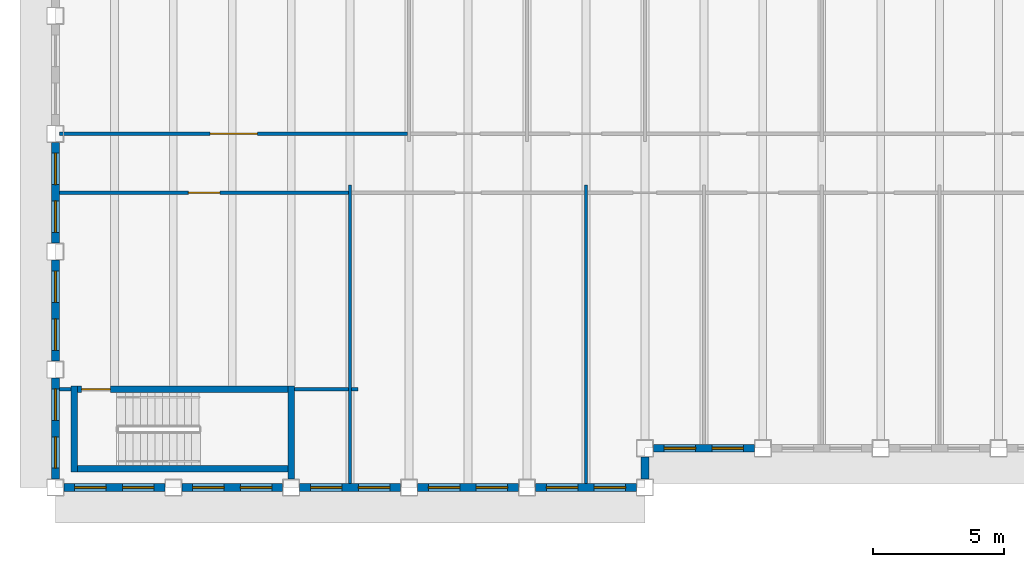
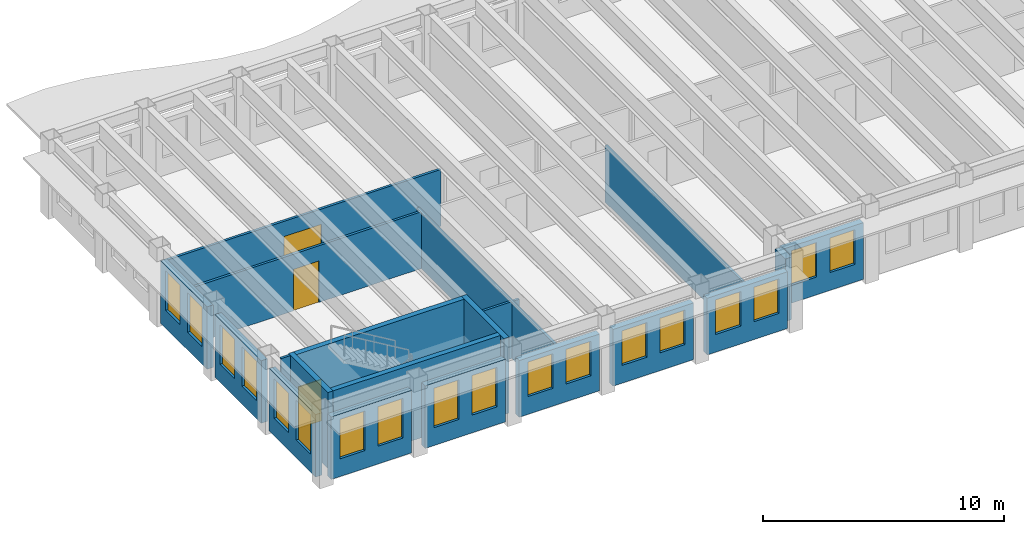
# One storey, part 2 of 12: 21 walls, 18 windows, 3 doors, 21 openings.
"""IFC4 building model written with IfcOpenShell, lengths in metres."""

from ifc_helpers import new_model, si_unit, direction, frame, frame_2d, origin, place, context, subcontext, project, spatial, rectangle, extrude, material, layer, layer_set, type_object, element, fill, save


model = new_model("IFC4")

# Units and contexts
model_context = context("Model", 3, precision=1e-05, world=origin(), true_north=direction((0.0, 1.0)))
body_context = subcontext(model_context, "Body", "Model", "MODEL_VIEW")
ifc_project = project(units=[si_unit("LENGTHUNIT", "METRE"), si_unit("AREAUNIT", "SQUARE_METRE"), si_unit("VOLUMEUNIT", "CUBIC_METRE"), si_unit("PLANEANGLEUNIT", "RADIAN"), si_unit("MASSUNIT", "GRAM", prefix="KILO")], contexts=[model_context])

# Site, building, storey
site_placement = place(None, origin())
site = spatial("IfcSite", under=ifc_project, at=site_placement, CompositionType="ELEMENT")
building_placement = place(site_placement, origin())
building = spatial("IfcBuilding", under=site, at=building_placement, Name="Sennacour Bend Tower", CompositionType="ELEMENT")
storey_placement = place(building_placement, frame((0.0, 0.0, 265.0)))
storey = spatial("IfcBuildingStorey", under=building, at=storey_placement, Name="L61", CompositionType="ELEMENT", Elevation=265.0)

# Walls
ifc_material_1 = material(Name="Plasterboard partition on steel studs", Category="steel")
ifc_layer_1 = layer(ifc_material_1, 0.1201171875, Name="Plasterboard partition on steel studs", Category="steel")
ifc_layer_set_1 = layer_set([ifc_layer_1], Name="Plasterboard partition on steel studs")
wall_type_1 = type_object("IfcWallType", Name="Partition 120", PredefinedType="PARTITIONING", material=ifc_layer_set_1)
for number, where, z_axis, x_axis, name in (
    (1, (11.25, 0.14990234375, 0.0), (0.0, 0.0, 1.0), (0.0, 1.0, 0.0), "P-L61-W004a"),
    (2, (20.25, 0.14990234375, 0.0), (0.0, 0.0, 1.0), (0.0, 1.0, 0.0), "P-L61-W007a"),
):
    element("IfcWall", number, at=place(storey_placement, frame(where, z_axis=z_axis, x_axis=x_axis)), inside=storey, type_object=wall_type_1, Name=name, PredefinedType="PARTITIONING", context=body_context, shape_type="SweptSolid", body=[
        extrude(rectangle(XDim=11.400146484375, YDim=0.1201171875, at=frame_2d((5.7001953125, 0.0))), origin(), (0.0, 0.0, 1.0), 2.8701171875),
    ])
wall_1_placement = place(storey_placement, frame((0.14990234375, 3.75, 0.0), z_axis=(0.0, 0.0, 1.0), x_axis=(1.0, 0.0, 0.0)))
element("IfcWall", 3, at=wall_1_placement, inside=storey, type_object=wall_type_1, Name="P-L61-W032a", PredefinedType="PARTITIONING", context=body_context, shape_type="SweptSolid", body=[
    extrude(rectangle(XDim=0.4501953125, YDim=0.1201171875, at=frame_2d((0.22509765625, 0.0))), origin(), (0.0, 0.0, 1.0), 3.85009765625),
])
wall_2_placement = place(storey_placement, frame((9.125, 3.75, 0.0), z_axis=(0.0, 0.0, 1.0), x_axis=(1.0, 0.0, 0.0)))
element("IfcWall", 4, at=wall_2_placement, inside=storey, type_object=wall_type_1, Name="P-L61-W034aa", PredefinedType="PARTITIONING", context=body_context, shape_type="SweptSolid", body=[
    extrude(rectangle(XDim=2.06494140625, YDim=0.1201171875, at=frame_2d((1.032470703125, 0.0))), origin(), (0.0, 0.0, 1.0), 2.8701171875),
])
wall_3_placement = place(storey_placement, frame((11.31005859375, 3.75, 0.0), z_axis=(0.0, 0.0, 1.0), x_axis=(1.0, 0.0, 0.0)))
element("IfcWall", 5, at=wall_3_placement, inside=storey, type_object=wall_type_1, Name="P-L61-W034ab", PredefinedType="PARTITIONING", context=body_context, shape_type="SweptSolid", body=[
    extrude(rectangle(XDim=0.239990234375, YDim=0.1201171875, at=frame_2d((0.1201171875, 0.0))), origin(), (0.0, 0.0, 1.0), 2.8701171875),
])

# Wall, opening, door
wall_4_placement = place(storey_placement, frame((0.14990234375, 13.5, 0.0), z_axis=(0.0, 0.0, 1.0), x_axis=(1.0, 0.0, 0.0)))
wall_4 = element("IfcWall", 6, at=wall_4_placement, inside=storey, type_object=wall_type_1, Name="P-L61-W041aa", PredefinedType="PARTITIONING", context=body_context, shape_type="SweptSolid", body=[
    extrude(rectangle(XDim=13.2900390625, YDim=0.1201171875, at=frame_2d((6.64501953125, 0.0))), origin(), (0.0, 0.0, 1.0), 2.8701171875),
])
opening_1_placement = place(wall_4_placement, frame((5.755126953125, 0.0, 0.0)))
opening_1 = element("IfcOpeningElement", 7, at=opening_1_placement, cuts=wall_4, Name="Opening OD3", PredefinedType="OPENING", context=body_context, shape_type="SweptSolid", body=[
    extrude(rectangle(XDim=1.800048828125, YDim=2.10009765625, at=frame_2d((0.89990234375, 1.050048828125))), frame((0.0, 0.070068359375, 0.0), z_axis=(0.0, -1.0, 0.0), x_axis=(1.0, 0.0, 0.0)), (0.0, 0.0, 1.0), 0.14013671875),
])
ifc_material_2 = material(Name="Timber", Category="wood")
door_type_1 = type_object("IfcDoorType", Name="DR-OFFICE-1800", OperationType="NOTDEFINED", PredefinedType="DOOR", material=ifc_material_2)
door_1_placement = place(opening_1_placement, origin())
door_1 = element("IfcDoor", 8, at=door_1_placement, inside=storey, type_object=door_type_1, Name="Door", OperationType="DOUBLE_DOOR_SINGLE_SWING", OverallHeight=2.10009765625, OverallWidth=1.800048828125, PredefinedType="DOOR", context=body_context, shape_type="SweptSolid", body=[
    extrude(rectangle(XDim=1.800048828125, YDim=2.10009765625, at=frame_2d((0.89990234375, 1.050048828125))), frame((0.0, 0.02490234375, 0.0), z_axis=(0.0, -1.0, 0.0), x_axis=(1.0, 0.0, 0.0)), (0.0, 0.0, 1.0), 0.050048828125),
])
fill(opening_1, door_1)

ifc_layer_2 = layer(ifc_material_1, 0.1201171875, Name="Plasterboard partition on steel studs", Category="steel")
ifc_layer_set_2 = layer_set([ifc_layer_2], Name="Plasterboard partition on steel studs")
wall_type_2 = type_object("IfcWallType", Name="Partition 120 EI 30", PredefinedType="PARTITIONING", material=ifc_layer_set_2)
wall_5_placement = place(storey_placement, frame((0.14990234375, 11.25, 0.0), z_axis=(0.0, 0.0, 1.0), x_axis=(1.0, 0.0, 0.0)))
wall_5 = element("IfcWall", 9, at=wall_5_placement, inside=storey, type_object=wall_type_2, Name="P-L61-W039aa", PredefinedType="PARTITIONING", context=body_context, shape_type="SweptSolid", body=[
    extrude(rectangle(XDim=11.0400390625, YDim=0.1201171875, at=frame_2d((5.52001953125, 0.0))), origin(), (0.0, 0.0, 1.0), 2.8701171875),
])
opening_2_placement = place(wall_5_placement, frame((4.93017578125, 0.0, 0.0)))
opening_2 = element("IfcOpeningElement", 10, at=opening_2_placement, cuts=wall_5, Name="Opening KD2", PredefinedType="OPENING", context=body_context, shape_type="SweptSolid", body=[
    extrude(rectangle(XDim=1.199951171875, YDim=2.10009765625, at=frame_2d((0.60009765625, 1.050048828125))), frame((0.0, 0.070068359375, 0.0), z_axis=(0.0, -1.0, 0.0), x_axis=(1.0, 0.0, 0.0)), (0.0, 0.0, 1.0), 0.14013671875),
])
ifc_material_3 = material(Name="Painted steel", Category="steel")
door_type_2 = type_object("IfcDoorType", Name="DR-CORRIDOR-1200", OperationType="NOTDEFINED", PredefinedType="DOOR", material=ifc_material_3)
door_2_placement = place(opening_2_placement, origin())
door_2 = element("IfcDoor", 11, at=door_2_placement, inside=storey, type_object=door_type_2, Name="Door", OperationType="SINGLE_SWING_LEFT", OverallHeight=2.10009765625, OverallWidth=1.199951171875, PredefinedType="DOOR", context=body_context, shape_type="SweptSolid", body=[
    extrude(rectangle(XDim=1.199951171875, YDim=2.10009765625, at=frame_2d((0.60009765625, 1.050048828125))), frame((0.0, 0.02490234375, 0.0), z_axis=(0.0, -1.0, 0.0), x_axis=(1.0, 0.0, 0.0)), (0.0, 0.0, 1.0), 0.050048828125),
])
fill(opening_2, door_2)

# Wall
ifc_material_4 = material(Name="Warm limestone cladding", Category="masonry")
ifc_layer_3 = layer(ifc_material_4, 0.050048828125, Name="Warm limestone cladding", Category="masonry")
ifc_material_5 = material(Name="Precast concrete C40/50", Category="concrete")
ifc_layer_4 = layer(ifc_material_5, 0.25, Name="Precast concrete C40/50", Category="concrete")
ifc_layer_set_3 = layer_set([ifc_layer_3, ifc_layer_4], Name="Precast concrete C40/50 with limestone cladding")
wall_type_3 = type_object("IfcWallType", Name="STONE-CLAD PRECAST SPANDREL 300", PredefinedType="STANDARD", material=ifc_layer_set_3)
wall_6_placement = place(storey_placement, frame((22.5, 0.324951171875, 0.0), z_axis=(0.0, 0.0, 1.0), x_axis=(0.0, 1.0, 0.0)))
element("IfcWall", 12, at=wall_6_placement, inside=storey, type_object=wall_type_3, Name="Stone spandrel and pier wall L61 00.00", PredefinedType="STANDARD", context=body_context, shape_type="SweptSolid", body=[
    extrude(rectangle(XDim=0.85009765625, YDim=0.300048828125, at=frame_2d((0.425048828125, 0.0))), origin(), (0.0, 0.0, 1.0), 3.162109375),
])

# Wall, openings, windows
wall_7_placement = place(storey_placement, frame((22.824951171875, 1.5, 0.0), z_axis=(0.0, 0.0, 1.0), x_axis=(1.0, 0.0, 0.0)))
wall_7 = element("IfcWall", 13, at=wall_7_placement, inside=storey, type_object=wall_type_3, Name="Stone spandrel and pier wall L61 01.00", PredefinedType="STANDARD", context=body_context, shape_type="SweptSolid", body=[
    extrude(rectangle(XDim=3.85009765625, YDim=0.300048828125, at=frame_2d((1.925048828125, 0.0))), origin(), (0.0, 0.0, 1.0), 2.8701171875),
])
opening_3_placement = place(wall_7_placement, frame((0.41259765625, 0.0, 0.89990234375)))
opening_3 = element("IfcOpeningElement", 14, at=opening_3_placement, cuts=wall_7, Name="Opening W16", PredefinedType="OPENING", context=body_context, shape_type="SweptSolid", body=[
    extrude(rectangle(XDim=1.199951171875, YDim=1.75, at=frame_2d((0.60009765625, 0.875))), frame((0.0, 0.16015625, 0.0), z_axis=(0.0, -1.0, 0.0), x_axis=(1.0, 0.0, 0.0)), (0.0, 0.0, 1.0), 0.320068359375),
])
opening_4_placement = place(wall_7_placement, frame((2.237548828125, 0.0, 0.89990234375)))
opening_4 = element("IfcOpeningElement", 15, at=opening_4_placement, cuts=wall_7, Name="Opening W16", PredefinedType="OPENING", context=body_context, shape_type="SweptSolid", body=[
    extrude(rectangle(XDim=1.199951171875, YDim=1.75, at=frame_2d((0.60009765625, 0.875))), frame((0.0, 0.16015625, 0.0), z_axis=(0.0, -1.0, 0.0), x_axis=(1.0, 0.0, 0.0)), (0.0, 0.0, 1.0), 0.320068359375),
])
ifc_material_6 = material(Name="Clear low-emissivity glass", Category="glass")
window_type_1 = type_object("IfcWindowType", Name="WIN-RIBBON-1200x1750", PartitioningType="SINGLE_PANEL", PredefinedType="WINDOW", material=ifc_material_6)
window_1_placement = place(opening_3_placement, origin())
window_1 = element("IfcWindow", 16, at=window_1_placement, inside=storey, type_object=window_type_1, Name="Ribbon window L61 01.00.0", OverallHeight=1.75, OverallWidth=1.199951171875, PartitioningType="SINGLE_PANEL", PredefinedType="WINDOW", context=body_context, shape_type="SweptSolid", body=[
    extrude(rectangle(XDim=1.199951171875, YDim=1.75, at=frame_2d((0.60009765625, 0.875))), frame((0.0, 0.030029296875, 0.0), z_axis=(0.0, -1.0, 0.0), x_axis=(1.0, 0.0, 0.0)), (0.0, 0.0, 1.0), 0.06005859375),
])
fill(opening_3, window_1)
window_2_placement = place(opening_4_placement, origin())
window_2 = element("IfcWindow", 17, at=window_2_placement, inside=storey, type_object=window_type_1, Name="Ribbon window L61 01.00.1", OverallHeight=1.75, OverallWidth=1.199951171875, PartitioningType="SINGLE_PANEL", PredefinedType="WINDOW", context=body_context, shape_type="SweptSolid", body=[
    extrude(rectangle(XDim=1.199951171875, YDim=1.75, at=frame_2d((0.60009765625, 0.875))), frame((0.0, 0.030029296875, 0.0), z_axis=(0.0, -1.0, 0.0), x_axis=(1.0, 0.0, 0.0)), (0.0, 0.0, 1.0), 0.06005859375),
])
fill(opening_4, window_2)

wall_8_placement = place(storey_placement, frame((0.0, 13.175048828125, 0.0), z_axis=(0.0, 0.0, 1.0), x_axis=(0.0, -1.0, 0.0)))
wall_8 = element("IfcWall", 18, at=wall_8_placement, inside=storey, type_object=wall_type_3, Name="Stone spandrel and pier wall L61 10.02", PredefinedType="STANDARD", context=body_context, shape_type="SweptSolid", body=[
    extrude(rectangle(XDim=3.85009765625, YDim=0.300048828125, at=frame_2d((1.925048828125, 0.0))), origin(), (0.0, 0.0, 1.0), 3.162109375),
])
opening_5_placement = place(wall_8_placement, frame((0.41259765625, 0.0, 0.89990234375)))
opening_5 = element("IfcOpeningElement", 19, at=opening_5_placement, cuts=wall_8, Name="Opening W14", PredefinedType="OPENING", context=body_context, shape_type="SweptSolid", body=[
    extrude(rectangle(XDim=1.199951171875, YDim=2.0, at=frame_2d((0.60009765625, 1.0))), frame((0.0, 0.16015625, 0.0), z_axis=(0.0, -1.0, 0.0), x_axis=(1.0, 0.0, 0.0)), (0.0, 0.0, 1.0), 0.320068359375),
])
opening_6_placement = place(wall_8_placement, frame((2.237548828125, 0.0, 0.89990234375)))
opening_6 = element("IfcOpeningElement", 20, at=opening_6_placement, cuts=wall_8, Name="Opening W14", PredefinedType="OPENING", context=body_context, shape_type="SweptSolid", body=[
    extrude(rectangle(XDim=1.199951171875, YDim=2.0, at=frame_2d((0.60009765625, 1.0))), frame((0.0, 0.16015625, 0.0), z_axis=(0.0, -1.0, 0.0), x_axis=(1.0, 0.0, 0.0)), (0.0, 0.0, 1.0), 0.320068359375),
])
window_type_2 = type_object("IfcWindowType", Name="WIN-RIBBON-1200x2000", PartitioningType="SINGLE_PANEL", PredefinedType="WINDOW", material=ifc_material_6)
window_3_placement = place(opening_5_placement, origin())
window_3 = element("IfcWindow", 21, at=window_3_placement, inside=storey, type_object=window_type_2, Name="Ribbon window L61 10.02.0", OverallHeight=2.0, OverallWidth=1.199951171875, PartitioningType="SINGLE_PANEL", PredefinedType="WINDOW", context=body_context, shape_type="SweptSolid", body=[
    extrude(rectangle(XDim=1.199951171875, YDim=2.0, at=frame_2d((0.60009765625, 1.0))), frame((0.0, 0.030029296875, 0.0), z_axis=(0.0, -1.0, 0.0), x_axis=(1.0, 0.0, 0.0)), (0.0, 0.0, 1.0), 0.06005859375),
])
fill(opening_5, window_3)
window_4_placement = place(opening_6_placement, origin())
window_4 = element("IfcWindow", 22, at=window_4_placement, inside=storey, type_object=window_type_2, Name="Ribbon window L61 10.02.1", OverallHeight=2.0, OverallWidth=1.199951171875, PartitioningType="SINGLE_PANEL", PredefinedType="WINDOW", context=body_context, shape_type="SweptSolid", body=[
    extrude(rectangle(XDim=1.199951171875, YDim=2.0, at=frame_2d((0.60009765625, 1.0))), frame((0.0, 0.030029296875, 0.0), z_axis=(0.0, -1.0, 0.0), x_axis=(1.0, 0.0, 0.0)), (0.0, 0.0, 1.0), 0.06005859375),
])
fill(opening_6, window_4)

wall_9_placement = place(storey_placement, frame((0.0, 8.675048828125, 0.0), z_axis=(0.0, 0.0, 1.0), x_axis=(0.0, -1.0, 0.0)))
wall_9 = element("IfcWall", 23, at=wall_9_placement, inside=storey, type_object=wall_type_3, Name="Stone spandrel and pier wall L61 10.03", PredefinedType="STANDARD", context=body_context, shape_type="SweptSolid", body=[
    extrude(rectangle(XDim=3.85009765625, YDim=0.300048828125, at=frame_2d((1.925048828125, 0.0))), origin(), (0.0, 0.0, 1.0), 3.162109375),
])
opening_7_placement = place(wall_9_placement, frame((0.41259765625, 0.0, 0.89990234375)))
opening_7 = element("IfcOpeningElement", 24, at=opening_7_placement, cuts=wall_9, Name="Opening W14", PredefinedType="OPENING", context=body_context, shape_type="SweptSolid", body=[
    extrude(rectangle(XDim=1.199951171875, YDim=2.0, at=frame_2d((0.60009765625, 1.0))), frame((0.0, 0.16015625, 0.0), z_axis=(0.0, -1.0, 0.0), x_axis=(1.0, 0.0, 0.0)), (0.0, 0.0, 1.0), 0.320068359375),
])
opening_8_placement = place(wall_9_placement, frame((2.237548828125, 0.0, 0.89990234375)))
opening_8 = element("IfcOpeningElement", 25, at=opening_8_placement, cuts=wall_9, Name="Opening W14", PredefinedType="OPENING", context=body_context, shape_type="SweptSolid", body=[
    extrude(rectangle(XDim=1.199951171875, YDim=2.0, at=frame_2d((0.60009765625, 1.0))), frame((0.0, 0.16015625, 0.0), z_axis=(0.0, -1.0, 0.0), x_axis=(1.0, 0.0, 0.0)), (0.0, 0.0, 1.0), 0.320068359375),
])
window_5_placement = place(opening_7_placement, origin())
window_5 = element("IfcWindow", 26, at=window_5_placement, inside=storey, type_object=window_type_2, Name="Ribbon window L61 10.03.0", OverallHeight=2.0, OverallWidth=1.199951171875, PartitioningType="SINGLE_PANEL", PredefinedType="WINDOW", context=body_context, shape_type="SweptSolid", body=[
    extrude(rectangle(XDim=1.199951171875, YDim=2.0, at=frame_2d((0.60009765625, 1.0))), frame((0.0, 0.030029296875, 0.0), z_axis=(0.0, -1.0, 0.0), x_axis=(1.0, 0.0, 0.0)), (0.0, 0.0, 1.0), 0.06005859375),
])
fill(opening_7, window_5)
window_6_placement = place(opening_8_placement, origin())
window_6 = element("IfcWindow", 27, at=window_6_placement, inside=storey, type_object=window_type_2, Name="Ribbon window L61 10.03.1", OverallHeight=2.0, OverallWidth=1.199951171875, PartitioningType="SINGLE_PANEL", PredefinedType="WINDOW", context=body_context, shape_type="SweptSolid", body=[
    extrude(rectangle(XDim=1.199951171875, YDim=2.0, at=frame_2d((0.60009765625, 1.0))), frame((0.0, 0.030029296875, 0.0), z_axis=(0.0, -1.0, 0.0), x_axis=(1.0, 0.0, 0.0)), (0.0, 0.0, 1.0), 0.06005859375),
])
fill(opening_8, window_6)

wall_10_placement = place(storey_placement, frame((0.0, 4.175048828125, 0.0), z_axis=(0.0, 0.0, 1.0), x_axis=(0.0, -1.0, 0.0)))
wall_10 = element("IfcWall", 28, at=wall_10_placement, inside=storey, type_object=wall_type_3, Name="Stone spandrel and pier wall L61 10.04", PredefinedType="STANDARD", context=body_context, shape_type="SweptSolid", body=[
    extrude(rectangle(XDim=3.85009765625, YDim=0.300048828125, at=frame_2d((1.925048828125, 0.0))), origin(), (0.0, 0.0, 1.0), 3.162109375),
])
opening_9_placement = place(wall_10_placement, frame((0.41259765625, 0.0, 0.89990234375)))
opening_9 = element("IfcOpeningElement", 29, at=opening_9_placement, cuts=wall_10, Name="Opening W14", PredefinedType="OPENING", context=body_context, shape_type="SweptSolid", body=[
    extrude(rectangle(XDim=1.199951171875, YDim=2.0, at=frame_2d((0.60009765625, 1.0))), frame((0.0, 0.16015625, 0.0), z_axis=(0.0, -1.0, 0.0), x_axis=(1.0, 0.0, 0.0)), (0.0, 0.0, 1.0), 0.320068359375),
])
opening_10_placement = place(wall_10_placement, frame((2.237548828125, 0.0, 0.89990234375)))
opening_10 = element("IfcOpeningElement", 30, at=opening_10_placement, cuts=wall_10, Name="Opening W14", PredefinedType="OPENING", context=body_context, shape_type="SweptSolid", body=[
    extrude(rectangle(XDim=1.199951171875, YDim=2.0, at=frame_2d((0.60009765625, 1.0))), frame((0.0, 0.16015625, 0.0), z_axis=(0.0, -1.0, 0.0), x_axis=(1.0, 0.0, 0.0)), (0.0, 0.0, 1.0), 0.320068359375),
])
window_7_placement = place(opening_9_placement, origin())
window_7 = element("IfcWindow", 31, at=window_7_placement, inside=storey, type_object=window_type_2, Name="Ribbon window L61 10.04.0", OverallHeight=2.0, OverallWidth=1.199951171875, PartitioningType="SINGLE_PANEL", PredefinedType="WINDOW", context=body_context, shape_type="SweptSolid", body=[
    extrude(rectangle(XDim=1.199951171875, YDim=2.0, at=frame_2d((0.60009765625, 1.0))), frame((0.0, 0.030029296875, 0.0), z_axis=(0.0, -1.0, 0.0), x_axis=(1.0, 0.0, 0.0)), (0.0, 0.0, 1.0), 0.06005859375),
])
fill(opening_9, window_7)
window_8_placement = place(opening_10_placement, origin())
window_8 = element("IfcWindow", 32, at=window_8_placement, inside=storey, type_object=window_type_2, Name="Ribbon window L61 10.04.1", OverallHeight=2.0, OverallWidth=1.199951171875, PartitioningType="SINGLE_PANEL", PredefinedType="WINDOW", context=body_context, shape_type="SweptSolid", body=[
    extrude(rectangle(XDim=1.199951171875, YDim=2.0, at=frame_2d((0.60009765625, 1.0))), frame((0.0, 0.030029296875, 0.0), z_axis=(0.0, -1.0, 0.0), x_axis=(1.0, 0.0, 0.0)), (0.0, 0.0, 1.0), 0.06005859375),
])
fill(opening_10, window_8)

wall_11_placement = place(storey_placement, frame((0.324951171875, 0.0, 0.0), z_axis=(0.0, 0.0, 1.0), x_axis=(1.0, 0.0, 0.0)))
wall_11 = element("IfcWall", 33, at=wall_11_placement, inside=storey, type_object=wall_type_3, Name="Stone spandrel and pier wall L61 11.00", PredefinedType="STANDARD", context=body_context, shape_type="SweptSolid", body=[
    extrude(rectangle(XDim=3.85009765625, YDim=0.300048828125, at=frame_2d((1.925048828125, 0.0))), origin(), (0.0, 0.0, 1.0), 3.162109375),
])
opening_11_placement = place(wall_11_placement, frame((0.41259765625, 0.0, 0.89990234375)))
opening_11 = element("IfcOpeningElement", 34, at=opening_11_placement, cuts=wall_11, Name="Opening W14", PredefinedType="OPENING", context=body_context, shape_type="SweptSolid", body=[
    extrude(rectangle(XDim=1.199951171875, YDim=2.0, at=frame_2d((0.60009765625, 1.0))), frame((0.0, 0.16015625, 0.0), z_axis=(0.0, -1.0, 0.0), x_axis=(1.0, 0.0, 0.0)), (0.0, 0.0, 1.0), 0.320068359375),
])
opening_12_placement = place(wall_11_placement, frame((2.237548828125, 0.0, 0.89990234375)))
opening_12 = element("IfcOpeningElement", 35, at=opening_12_placement, cuts=wall_11, Name="Opening W14", PredefinedType="OPENING", context=body_context, shape_type="SweptSolid", body=[
    extrude(rectangle(XDim=1.199951171875, YDim=2.0, at=frame_2d((0.60009765625, 1.0))), frame((0.0, 0.16015625, 0.0), z_axis=(0.0, -1.0, 0.0), x_axis=(1.0, 0.0, 0.0)), (0.0, 0.0, 1.0), 0.320068359375),
])
window_9_placement = place(opening_11_placement, origin())
window_9 = element("IfcWindow", 36, at=window_9_placement, inside=storey, type_object=window_type_2, Name="Ribbon window L61 11.00.0", OverallHeight=2.0, OverallWidth=1.199951171875, PartitioningType="SINGLE_PANEL", PredefinedType="WINDOW", context=body_context, shape_type="SweptSolid", body=[
    extrude(rectangle(XDim=1.199951171875, YDim=2.0, at=frame_2d((0.60009765625, 1.0))), frame((0.0, 0.030029296875, 0.0), z_axis=(0.0, -1.0, 0.0), x_axis=(1.0, 0.0, 0.0)), (0.0, 0.0, 1.0), 0.06005859375),
])
fill(opening_11, window_9)
window_10_placement = place(opening_12_placement, origin())
window_10 = element("IfcWindow", 37, at=window_10_placement, inside=storey, type_object=window_type_2, Name="Ribbon window L61 11.00.1", OverallHeight=2.0, OverallWidth=1.199951171875, PartitioningType="SINGLE_PANEL", PredefinedType="WINDOW", context=body_context, shape_type="SweptSolid", body=[
    extrude(rectangle(XDim=1.199951171875, YDim=2.0, at=frame_2d((0.60009765625, 1.0))), frame((0.0, 0.030029296875, 0.0), z_axis=(0.0, -1.0, 0.0), x_axis=(1.0, 0.0, 0.0)), (0.0, 0.0, 1.0), 0.06005859375),
])
fill(opening_12, window_10)

wall_12_placement = place(storey_placement, frame((4.824951171875, 0.0, 0.0), z_axis=(0.0, 0.0, 1.0), x_axis=(1.0, 0.0, 0.0)))
wall_12 = element("IfcWall", 38, at=wall_12_placement, inside=storey, type_object=wall_type_3, Name="Stone spandrel and pier wall L61 11.01", PredefinedType="STANDARD", context=body_context, shape_type="SweptSolid", body=[
    extrude(rectangle(XDim=3.85009765625, YDim=0.300048828125, at=frame_2d((1.925048828125, 0.0))), origin(), (0.0, 0.0, 1.0), 3.162109375),
])
opening_13_placement = place(wall_12_placement, frame((0.41259765625, 0.0, 0.89990234375)))
opening_13 = element("IfcOpeningElement", 39, at=opening_13_placement, cuts=wall_12, Name="Opening W14", PredefinedType="OPENING", context=body_context, shape_type="SweptSolid", body=[
    extrude(rectangle(XDim=1.199951171875, YDim=2.0, at=frame_2d((0.60009765625, 1.0))), frame((0.0, 0.16015625, 0.0), z_axis=(0.0, -1.0, 0.0), x_axis=(1.0, 0.0, 0.0)), (0.0, 0.0, 1.0), 0.320068359375),
])
opening_14_placement = place(wall_12_placement, frame((2.237548828125, 0.0, 0.89990234375)))
opening_14 = element("IfcOpeningElement", 40, at=opening_14_placement, cuts=wall_12, Name="Opening W14", PredefinedType="OPENING", context=body_context, shape_type="SweptSolid", body=[
    extrude(rectangle(XDim=1.199951171875, YDim=2.0, at=frame_2d((0.60009765625, 1.0))), frame((0.0, 0.16015625, 0.0), z_axis=(0.0, -1.0, 0.0), x_axis=(1.0, 0.0, 0.0)), (0.0, 0.0, 1.0), 0.320068359375),
])
window_11_placement = place(opening_13_placement, origin())
window_11 = element("IfcWindow", 41, at=window_11_placement, inside=storey, type_object=window_type_2, Name="Ribbon window L61 11.01.0", OverallHeight=2.0, OverallWidth=1.199951171875, PartitioningType="SINGLE_PANEL", PredefinedType="WINDOW", context=body_context, shape_type="SweptSolid", body=[
    extrude(rectangle(XDim=1.199951171875, YDim=2.0, at=frame_2d((0.60009765625, 1.0))), frame((0.0, 0.030029296875, 0.0), z_axis=(0.0, -1.0, 0.0), x_axis=(1.0, 0.0, 0.0)), (0.0, 0.0, 1.0), 0.06005859375),
])
fill(opening_13, window_11)
window_12_placement = place(opening_14_placement, origin())
window_12 = element("IfcWindow", 42, at=window_12_placement, inside=storey, type_object=window_type_2, Name="Ribbon window L61 11.01.1", OverallHeight=2.0, OverallWidth=1.199951171875, PartitioningType="SINGLE_PANEL", PredefinedType="WINDOW", context=body_context, shape_type="SweptSolid", body=[
    extrude(rectangle(XDim=1.199951171875, YDim=2.0, at=frame_2d((0.60009765625, 1.0))), frame((0.0, 0.030029296875, 0.0), z_axis=(0.0, -1.0, 0.0), x_axis=(1.0, 0.0, 0.0)), (0.0, 0.0, 1.0), 0.06005859375),
])
fill(opening_14, window_12)

wall_13_placement = place(storey_placement, frame((9.324951171875, 0.0, 0.0), z_axis=(0.0, 0.0, 1.0), x_axis=(1.0, 0.0, 0.0)))
wall_13 = element("IfcWall", 43, at=wall_13_placement, inside=storey, type_object=wall_type_3, Name="Stone spandrel and pier wall L61 11.02", PredefinedType="STANDARD", context=body_context, shape_type="SweptSolid", body=[
    extrude(rectangle(XDim=3.85009765625, YDim=0.300048828125, at=frame_2d((1.925048828125, 0.0))), origin(), (0.0, 0.0, 1.0), 2.8701171875),
])
opening_15_placement = place(wall_13_placement, frame((0.41259765625, 0.0, 0.89990234375)))
opening_15 = element("IfcOpeningElement", 44, at=opening_15_placement, cuts=wall_13, Name="Opening W16", PredefinedType="OPENING", context=body_context, shape_type="SweptSolid", body=[
    extrude(rectangle(XDim=1.199951171875, YDim=1.75, at=frame_2d((0.60009765625, 0.875))), frame((0.0, 0.16015625, 0.0), z_axis=(0.0, -1.0, 0.0), x_axis=(1.0, 0.0, 0.0)), (0.0, 0.0, 1.0), 0.320068359375),
])
opening_16_placement = place(wall_13_placement, frame((2.237548828125, 0.0, 0.89990234375)))
opening_16 = element("IfcOpeningElement", 45, at=opening_16_placement, cuts=wall_13, Name="Opening W16", PredefinedType="OPENING", context=body_context, shape_type="SweptSolid", body=[
    extrude(rectangle(XDim=1.199951171875, YDim=1.75, at=frame_2d((0.60009765625, 0.875))), frame((0.0, 0.16015625, 0.0), z_axis=(0.0, -1.0, 0.0), x_axis=(1.0, 0.0, 0.0)), (0.0, 0.0, 1.0), 0.320068359375),
])
window_13_placement = place(opening_15_placement, origin())
window_13 = element("IfcWindow", 46, at=window_13_placement, inside=storey, type_object=window_type_1, Name="Ribbon window L61 11.02.0", OverallHeight=1.75, OverallWidth=1.199951171875, PartitioningType="SINGLE_PANEL", PredefinedType="WINDOW", context=body_context, shape_type="SweptSolid", body=[
    extrude(rectangle(XDim=1.199951171875, YDim=1.75, at=frame_2d((0.60009765625, 0.875))), frame((0.0, 0.030029296875, 0.0), z_axis=(0.0, -1.0, 0.0), x_axis=(1.0, 0.0, 0.0)), (0.0, 0.0, 1.0), 0.06005859375),
])
fill(opening_15, window_13)
window_14_placement = place(opening_16_placement, origin())
window_14 = element("IfcWindow", 47, at=window_14_placement, inside=storey, type_object=window_type_1, Name="Ribbon window L61 11.02.1", OverallHeight=1.75, OverallWidth=1.199951171875, PartitioningType="SINGLE_PANEL", PredefinedType="WINDOW", context=body_context, shape_type="SweptSolid", body=[
    extrude(rectangle(XDim=1.199951171875, YDim=1.75, at=frame_2d((0.60009765625, 0.875))), frame((0.0, 0.030029296875, 0.0), z_axis=(0.0, -1.0, 0.0), x_axis=(1.0, 0.0, 0.0)), (0.0, 0.0, 1.0), 0.06005859375),
])
fill(opening_16, window_14)

wall_14_placement = place(storey_placement, frame((13.824951171875, 0.0, 0.0), z_axis=(0.0, 0.0, 1.0), x_axis=(1.0, 0.0, 0.0)))
wall_14 = element("IfcWall", 48, at=wall_14_placement, inside=storey, type_object=wall_type_3, Name="Stone spandrel and pier wall L61 11.03", PredefinedType="STANDARD", context=body_context, shape_type="SweptSolid", body=[
    extrude(rectangle(XDim=3.85009765625, YDim=0.300048828125, at=frame_2d((1.925048828125, 0.0))), origin(), (0.0, 0.0, 1.0), 2.8701171875),
])
opening_17_placement = place(wall_14_placement, frame((0.41259765625, 0.0, 0.89990234375)))
opening_17 = element("IfcOpeningElement", 49, at=opening_17_placement, cuts=wall_14, Name="Opening W16", PredefinedType="OPENING", context=body_context, shape_type="SweptSolid", body=[
    extrude(rectangle(XDim=1.199951171875, YDim=1.75, at=frame_2d((0.60009765625, 0.875))), frame((0.0, 0.16015625, 0.0), z_axis=(0.0, -1.0, 0.0), x_axis=(1.0, 0.0, 0.0)), (0.0, 0.0, 1.0), 0.320068359375),
])
opening_18_placement = place(wall_14_placement, frame((2.237548828125, 0.0, 0.89990234375)))
opening_18 = element("IfcOpeningElement", 50, at=opening_18_placement, cuts=wall_14, Name="Opening W16", PredefinedType="OPENING", context=body_context, shape_type="SweptSolid", body=[
    extrude(rectangle(XDim=1.199951171875, YDim=1.75, at=frame_2d((0.60009765625, 0.875))), frame((0.0, 0.16015625, 0.0), z_axis=(0.0, -1.0, 0.0), x_axis=(1.0, 0.0, 0.0)), (0.0, 0.0, 1.0), 0.320068359375),
])
window_15_placement = place(opening_17_placement, origin())
window_15 = element("IfcWindow", 51, at=window_15_placement, inside=storey, type_object=window_type_1, Name="Ribbon window L61 11.03.0", OverallHeight=1.75, OverallWidth=1.199951171875, PartitioningType="SINGLE_PANEL", PredefinedType="WINDOW", context=body_context, shape_type="SweptSolid", body=[
    extrude(rectangle(XDim=1.199951171875, YDim=1.75, at=frame_2d((0.60009765625, 0.875))), frame((0.0, 0.030029296875, 0.0), z_axis=(0.0, -1.0, 0.0), x_axis=(1.0, 0.0, 0.0)), (0.0, 0.0, 1.0), 0.06005859375),
])
fill(opening_17, window_15)
window_16_placement = place(opening_18_placement, origin())
window_16 = element("IfcWindow", 52, at=window_16_placement, inside=storey, type_object=window_type_1, Name="Ribbon window L61 11.03.1", OverallHeight=1.75, OverallWidth=1.199951171875, PartitioningType="SINGLE_PANEL", PredefinedType="WINDOW", context=body_context, shape_type="SweptSolid", body=[
    extrude(rectangle(XDim=1.199951171875, YDim=1.75, at=frame_2d((0.60009765625, 0.875))), frame((0.0, 0.030029296875, 0.0), z_axis=(0.0, -1.0, 0.0), x_axis=(1.0, 0.0, 0.0)), (0.0, 0.0, 1.0), 0.06005859375),
])
fill(opening_18, window_16)

wall_15_placement = place(storey_placement, frame((18.324951171875, 0.0, 0.0), z_axis=(0.0, 0.0, 1.0), x_axis=(1.0, 0.0, 0.0)))
wall_15 = element("IfcWall", 53, at=wall_15_placement, inside=storey, type_object=wall_type_3, Name="Stone spandrel and pier wall L61 11.04", PredefinedType="STANDARD", context=body_context, shape_type="SweptSolid", body=[
    extrude(rectangle(XDim=3.85009765625, YDim=0.300048828125, at=frame_2d((1.925048828125, 0.0))), origin(), (0.0, 0.0, 1.0), 2.8701171875),
])
opening_19_placement = place(wall_15_placement, frame((0.41259765625, 0.0, 0.89990234375)))
opening_19 = element("IfcOpeningElement", 54, at=opening_19_placement, cuts=wall_15, Name="Opening W16", PredefinedType="OPENING", context=body_context, shape_type="SweptSolid", body=[
    extrude(rectangle(XDim=1.199951171875, YDim=1.75, at=frame_2d((0.60009765625, 0.875))), frame((0.0, 0.16015625, 0.0), z_axis=(0.0, -1.0, 0.0), x_axis=(1.0, 0.0, 0.0)), (0.0, 0.0, 1.0), 0.320068359375),
])
opening_20_placement = place(wall_15_placement, frame((2.237548828125, 0.0, 0.89990234375)))
opening_20 = element("IfcOpeningElement", 55, at=opening_20_placement, cuts=wall_15, Name="Opening W16", PredefinedType="OPENING", context=body_context, shape_type="SweptSolid", body=[
    extrude(rectangle(XDim=1.199951171875, YDim=1.75, at=frame_2d((0.60009765625, 0.875))), frame((0.0, 0.16015625, 0.0), z_axis=(0.0, -1.0, 0.0), x_axis=(1.0, 0.0, 0.0)), (0.0, 0.0, 1.0), 0.320068359375),
])
window_17_placement = place(opening_19_placement, origin())
window_17 = element("IfcWindow", 56, at=window_17_placement, inside=storey, type_object=window_type_1, Name="Ribbon window L61 11.04.0", OverallHeight=1.75, OverallWidth=1.199951171875, PartitioningType="SINGLE_PANEL", PredefinedType="WINDOW", context=body_context, shape_type="SweptSolid", body=[
    extrude(rectangle(XDim=1.199951171875, YDim=1.75, at=frame_2d((0.60009765625, 0.875))), frame((0.0, 0.030029296875, 0.0), z_axis=(0.0, -1.0, 0.0), x_axis=(1.0, 0.0, 0.0)), (0.0, 0.0, 1.0), 0.06005859375),
])
fill(opening_19, window_17)
window_18_placement = place(opening_20_placement, origin())
window_18 = element("IfcWindow", 57, at=window_18_placement, inside=storey, type_object=window_type_1, Name="Ribbon window L61 11.04.1", OverallHeight=1.75, OverallWidth=1.199951171875, PartitioningType="SINGLE_PANEL", PredefinedType="WINDOW", context=body_context, shape_type="SweptSolid", body=[
    extrude(rectangle(XDim=1.199951171875, YDim=1.75, at=frame_2d((0.60009765625, 0.875))), frame((0.0, 0.030029296875, 0.0), z_axis=(0.0, -1.0, 0.0), x_axis=(1.0, 0.0, 0.0)), (0.0, 0.0, 1.0), 0.06005859375),
])
fill(opening_20, window_18)

# Walls
ifc_material_7 = material(Name="Concrete C60/75", Category="concrete")
ifc_layer_5 = layer(ifc_material_7, 0.25, Name="Concrete C60/75", Category="concrete")
ifc_layer_set_4 = layer_set([ifc_layer_5], Name="Concrete C60/75")
wall_type_4 = type_object("IfcWallType", Name="Stair wall 250", PredefinedType="SHEAR", material=ifc_layer_set_4)
wall_16_placement = place(storey_placement, frame((0.72509765625, 0.60009765625, 0.0), z_axis=(0.0, 0.0, 1.0), x_axis=(0.0, 1.0, 0.0)))
element("IfcWall", 58, at=wall_16_placement, inside=storey, type_object=wall_type_4, Name="P-L61-W002", PredefinedType="SHEAR", context=body_context, shape_type="SweptSolid", body=[
    extrude(rectangle(XDim=3.27490234375, YDim=0.25, at=frame_2d((1.637451171875, 0.0))), origin(), (0.0, 0.0, 1.0), 3.85009765625),
])
wall_17_placement = place(storey_placement, frame((9.0, 0.324951171875, 0.0), z_axis=(0.0, 0.0, 1.0), x_axis=(0.0, 1.0, 0.0)))
element("IfcWall", 59, at=wall_17_placement, inside=storey, type_object=wall_type_4, Name="P-L61-W003", PredefinedType="SHEAR", context=body_context, shape_type="SweptSolid", body=[
    extrude(rectangle(XDim=3.550048828125, YDim=0.25, at=frame_2d((1.77490234375, 0.0))), origin(), (0.0, 0.0, 1.0), 3.85009765625),
])
wall_18_placement = place(storey_placement, frame((0.85009765625, 0.72509765625, 0.0), z_axis=(0.0, 0.0, 1.0), x_axis=(1.0, 0.0, 0.0)))
element("IfcWall", 60, at=wall_18_placement, inside=storey, type_object=wall_type_4, Name="P-L61-W030", PredefinedType="SHEAR", context=body_context, shape_type="SweptSolid", body=[
    extrude(rectangle(XDim=8.02490234375, YDim=0.25, at=frame_2d((4.012451171875, 0.0))), origin(), (0.0, 0.0, 1.0), 3.85009765625),
])

# Wall, opening, door
wall_19_placement = place(storey_placement, frame((0.85009765625, 3.75, 0.0), z_axis=(0.0, 0.0, 1.0), x_axis=(1.0, 0.0, 0.0)))
wall_19 = element("IfcWall", 61, at=wall_19_placement, inside=storey, type_object=wall_type_4, Name="P-L61-W033", PredefinedType="SHEAR", context=body_context, shape_type="SweptSolid", body=[
    extrude(rectangle(XDim=8.02490234375, YDim=0.25, at=frame_2d((4.012451171875, 0.0))), origin(), (0.0, 0.0, 1.0), 3.85009765625),
])
opening_21_placement = place(wall_19_placement, frame((0.14990234375, 0.0, 0.0)))
opening_21 = element("IfcOpeningElement", 62, at=opening_21_placement, cuts=wall_19, Name="Opening SD", PredefinedType="OPENING", context=body_context, shape_type="SweptSolid", body=[
    extrude(rectangle(XDim=1.10009765625, YDim=2.10009765625, at=frame_2d((0.550048828125, 1.050048828125))), frame((0.0, 0.135009765625, 0.0), z_axis=(0.0, -1.0, 0.0), x_axis=(1.0, 0.0, 0.0)), (0.0, 0.0, 1.0), 0.27001953125),
])
door_type_3 = type_object("IfcDoorType", Name="DR-STAIR-1100", OperationType="NOTDEFINED", PredefinedType="DOOR", material=ifc_material_3)
door_3_placement = place(opening_21_placement, origin())
door_3 = element("IfcDoor", 63, at=door_3_placement, inside=storey, type_object=door_type_3, Name="Door", OperationType="SINGLE_SWING_LEFT", OverallHeight=2.10009765625, OverallWidth=1.10009765625, PredefinedType="DOOR", context=body_context, shape_type="SweptSolid", body=[
    extrude(rectangle(XDim=1.10009765625, YDim=2.10009765625, at=frame_2d((0.550048828125, 1.050048828125))), frame((0.0, 0.02490234375, 0.0), z_axis=(0.0, -1.0, 0.0), x_axis=(1.0, 0.0, 0.0)), (0.0, 0.0, 1.0), 0.050048828125),
])
fill(opening_21, door_3)

save(model, "model.ifc")
